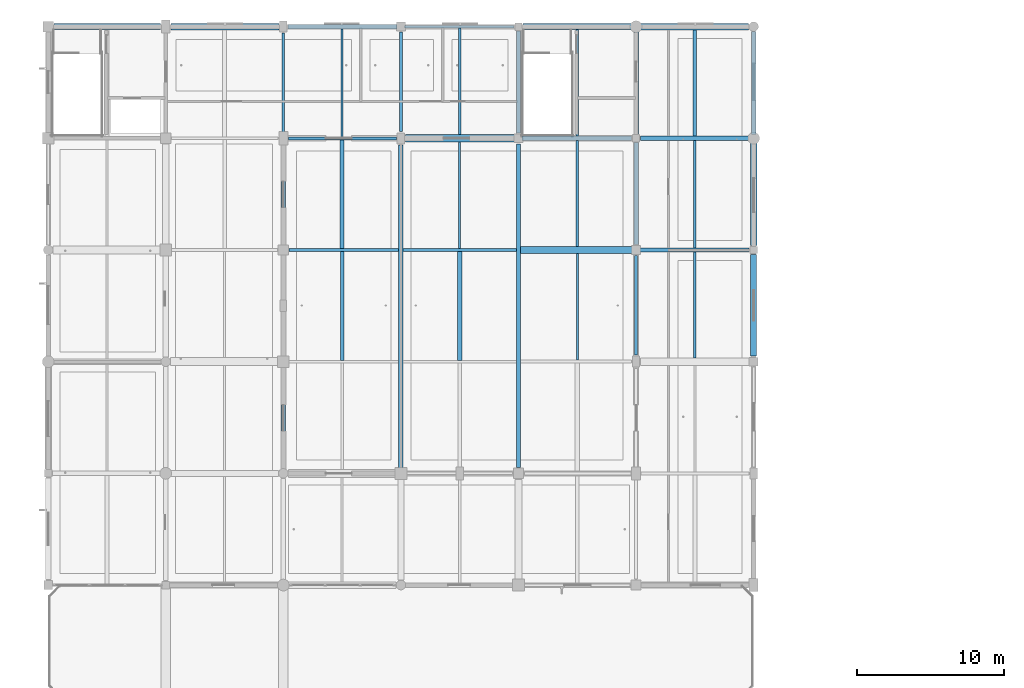
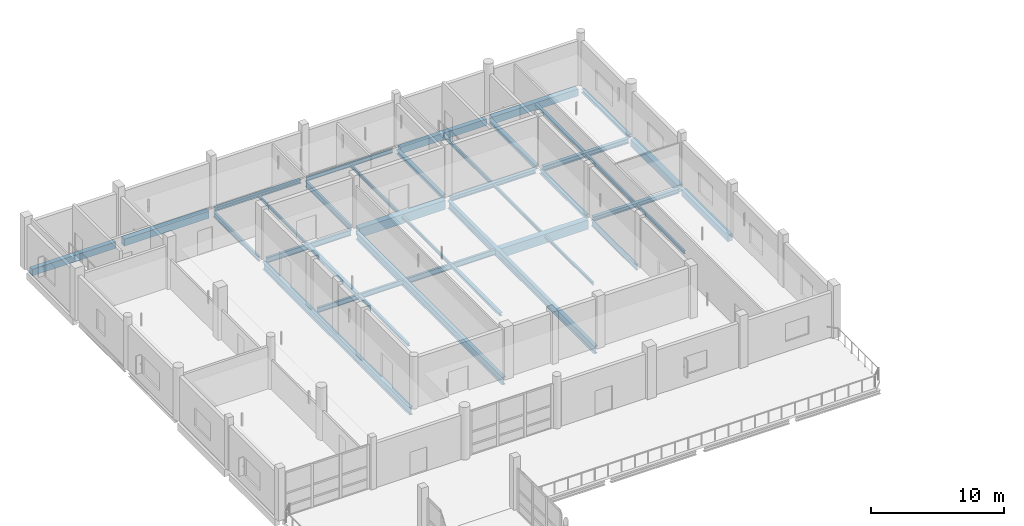
# One storey, part 42 of 141: 38 beams.
"""IFC4 building model written with IfcOpenShell, lengths in metres."""

from ifc_helpers import new_model, si_unit, direction, frame, origin, origin_2d, place, context, subcontext, project, spatial, rectangle, i_section, extrude, material, material_profile, profile_set, type_object, element, save


model = new_model("IFC4")

# Units and contexts
model_context = context("Model", 3, precision=1e-05, world=origin(), true_north=direction((0.0, 1.0)))
body_context = subcontext(model_context, "Body", "Model", "MODEL_VIEW")
ifc_project = project(units=[si_unit("LENGTHUNIT", "METRE"), si_unit("AREAUNIT", "SQUARE_METRE"), si_unit("VOLUMEUNIT", "CUBIC_METRE"), si_unit("PLANEANGLEUNIT", "RADIAN"), si_unit("MASSUNIT", "GRAM", prefix="KILO")], contexts=[model_context])

# Site, building, storey
site_placement = place(None, origin())
site = spatial("IfcSite", under=ifc_project, at=site_placement, CompositionType="ELEMENT")
building_placement = place(site_placement, origin())
building = spatial("IfcBuilding", under=site, at=building_placement, Name="Khelvaren Railside Concert Hall", CompositionType="ELEMENT")
storey_placement = place(building_placement, frame((0.0, 0.0, 10.199951171875)))
storey = spatial("IfcBuildingStorey", under=building, at=storey_placement, Name="L02", CompositionType="ELEMENT", Elevation=10.199951171875)

# Beams
ifc_material_1 = material(Name="Steel S355", Category="steel")
ifc_material_profile_1 = material_profile(ifc_material_1, i_section(OverallWidth=0.300048828125, OverallDepth=0.389892578125, WebThickness=0.010986328125, FlangeThickness=0.01904296875, FilletRadius=0.027099609375, at=origin_2d()), Name="HEA 400")
ifc_profile_set_1 = profile_set([ifc_material_profile_1], Name="Steel S355")
beam_type_1 = type_object("IfcBeamType", Name="BM23", PredefinedType="BEAM", material=ifc_profile_set_1)
for number, where, z_axis, x_axis, name in (
    (1, (40.25, 98.800048828125, -0.48486328125), (1.0, 0.0, 0.0), (0.0, 1.0, 0.0), "V4 L02 Beam X5.6"),
    (2, (32.25, 106.39990234375, -0.48486328125), (1.0, 0.0, 0.0), (0.0, 1.0, 0.0), "V4 L02 Beam X6.5"),
):
    element("IfcBeam", number, at=place(storey_placement, frame(where, z_axis=z_axis, x_axis=x_axis)), inside=storey, type_object=beam_type_1, Name=name, PredefinedType="BEAM", context=body_context, shape_type="SweptSolid", body=[
        extrude(i_section(OverallWidth=0.300048828125, OverallDepth=0.389892578125, WebThickness=0.010986328125, FlangeThickness=0.01904296875, FilletRadius=0.027099609375, at=origin_2d()), origin(), (0.0, 0.0, 1.0), 7.449951171875),
    ])
beam_1_placement = place(storey_placement, frame((40.0, 106.699951171875, -0.48486328125), z_axis=(0.0, 1.0, 0.0), x_axis=(-1.0, 0.0, 0.0)))
element("IfcBeam", 3, at=beam_1_placement, inside=storey, type_object=beam_type_1, Name="V4 L02 Beam Y6.6", PredefinedType="BEAM", context=body_context, shape_type="SweptSolid", body=[
    extrude(i_section(OverallWidth=0.300048828125, OverallDepth=0.389892578125, WebThickness=0.010986328125, FlangeThickness=0.01904296875, FilletRadius=0.027099609375, at=origin_2d()), origin(), (0.0, 0.0, 1.0), 7.050048828125),
])
ifc_material_profile_2 = material_profile(ifc_material_1, i_section(OverallWidth=0.199951171875, OverallDepth=0.5, WebThickness=0.01025390625, FlangeThickness=0.01611328125, FilletRadius=0.02099609375, at=origin_2d()), Name="IPE 500")
ifc_profile_set_2 = profile_set([ifc_material_profile_2], Name="Steel S355")
beam_type_2 = type_object("IfcBeamType", Name="BM62", PredefinedType="BEAM", material=ifc_profile_set_2)
beam_2_placement = place(storey_placement, frame((24.14990234375, 98.800048828125, -0.5400390625), z_axis=(1.0, 0.0, 0.0), x_axis=(0.0, 1.0, 0.0)))
element("IfcBeam", 4, at=beam_2_placement, inside=storey, type_object=beam_type_2, Name="V4 L02 Beam X5.4", PredefinedType="BEAM", context=body_context, shape_type="SweptSolid", body=[
    extrude(i_section(OverallWidth=0.199951171875, OverallDepth=0.5, WebThickness=0.01025390625, FlangeThickness=0.01611328125, FilletRadius=0.02099609375, at=origin_2d()), origin(), (0.0, 0.0, 1.0), 7.7001953125),
])
beam_3_placement = place(storey_placement, frame((16.35009765625, 106.39990234375, -0.5400390625), z_axis=(1.0, 0.0, 0.0), x_axis=(0.0, 1.0, 0.0)))
element("IfcBeam", 5, at=beam_3_placement, inside=storey, type_object=beam_type_2, Name="V4 L02 Beam X6.3", PredefinedType="BEAM", context=body_context, shape_type="SweptSolid", body=[
    extrude(i_section(OverallWidth=0.199951171875, OverallDepth=0.5, WebThickness=0.01025390625, FlangeThickness=0.01611328125, FilletRadius=0.02099609375, at=origin_2d()), origin(), (0.0, 0.0, 1.0), 7.349853515625),
])
beam_4_placement = place(storey_placement, frame((24.0, 106.85009765625, -0.5400390625), z_axis=(0.0, 1.0, 0.0), x_axis=(-1.0, 0.0, 0.0)))
element("IfcBeam", 6, at=beam_4_placement, inside=storey, type_object=beam_type_2, Name="V4 L02 Beam Y4.6", PredefinedType="BEAM", context=body_context, shape_type="SweptSolid", body=[
    extrude(i_section(OverallWidth=0.199951171875, OverallDepth=0.5, WebThickness=0.01025390625, FlangeThickness=0.01611328125, FilletRadius=0.02099609375, at=origin_2d()), origin(), (0.0, 0.0, 1.0), 6.77490234375),
])
beam_5_placement = place(storey_placement, frame((40.0, 91.64990234375, -0.5400390625), z_axis=(0.0, 1.0, 0.0), x_axis=(-1.0, 0.0, 0.0)))
element("IfcBeam", 7, at=beam_5_placement, inside=storey, type_object=beam_type_2, Name="V4 L02 Beam Y6.4", PredefinedType="BEAM", context=body_context, shape_type="SweptSolid", body=[
    extrude(i_section(OverallWidth=0.199951171875, OverallDepth=0.5, WebThickness=0.01025390625, FlangeThickness=0.01611328125, FilletRadius=0.02099609375, at=origin_2d()), origin(), (0.0, 0.0, 1.0), 6.775146484375),
])
ifc_material_profile_3 = material_profile(ifc_material_1, i_section(OverallWidth=0.300048828125, OverallDepth=0.35009765625, WebThickness=0.010009765625, FlangeThickness=0.017578125, FilletRadius=0.027099609375, at=origin_2d()), Name="HEA 360")
ifc_profile_set_3 = profile_set([ifc_material_profile_3], Name="Steel S355")
beam_type_3 = type_object("IfcBeamType", Name="BM73", PredefinedType="BEAM", material=ifc_profile_set_3)
for number, where, z_axis, x_axis, name in (
    (8, (32.0, 106.77490234375, -0.46484375), (0.0, 1.0, 0.0), (-1.0, 0.0, 0.0), "V4 L02 Beam Y5.6"),
    (9, (40.0, 99.175048828125, -0.46484375), (0.0, 1.0, 0.0), (-1.0, 0.0, 0.0), "V4 L02 Beam Y6.5"),
):
    element("IfcBeam", number, at=place(storey_placement, frame(where, z_axis=z_axis, x_axis=x_axis)), inside=storey, type_object=beam_type_3, Name=name, PredefinedType="BEAM", context=body_context, shape_type="SweptSolid", body=[
        extrude(i_section(OverallWidth=0.300048828125, OverallDepth=0.35009765625, WebThickness=0.010009765625, FlangeThickness=0.017578125, FilletRadius=0.027099609375, at=origin_2d()), origin(), (0.0, 0.0, 1.0), 6.925048828125),
    ])
ifc_material_profile_4 = material_profile(ifc_material_1, i_section(OverallWidth=0.300048828125, OverallDepth=0.43994140625, WebThickness=0.011474609375, FlangeThickness=0.02099609375, FilletRadius=0.027099609375, at=origin_2d()), Name="HEA 450")
ifc_profile_set_4 = profile_set([ifc_material_profile_4], Name="Steel S355")
beam_type_4 = type_object("IfcBeamType", Name="BM89", PredefinedType="BEAM", material=ifc_profile_set_4)
beam_6_placement = place(storey_placement, frame((40.300048828125, 106.39990234375, -0.510009765625), z_axis=(1.0, 0.0, 0.0), x_axis=(0.0, 1.0, 0.0)))
element("IfcBeam", 10, at=beam_6_placement, inside=storey, type_object=beam_type_4, Name="V4 L02 Beam X6.6", PredefinedType="BEAM", context=body_context, shape_type="SweptSolid", body=[
    extrude(i_section(OverallWidth=0.300048828125, OverallDepth=0.43994140625, WebThickness=0.011474609375, FlangeThickness=0.02099609375, FilletRadius=0.027099609375, at=origin_2d()), origin(), (0.0, 0.0, 1.0), 7.449951171875),
])
ifc_material_profile_5 = material_profile(ifc_material_1, i_section(OverallWidth=0.18994140625, OverallDepth=0.449951171875, WebThickness=0.009521484375, FlangeThickness=0.0146484375, FilletRadius=0.02099609375, at=origin_2d()), Name="IPE 450")
ifc_profile_set_5 = profile_set([ifc_material_profile_5], Name="Steel S355")
beam_type_5 = type_object("IfcBeamType", Name="BM95", PredefinedType="BEAM", material=ifc_profile_set_5)
beam_7_placement = place(storey_placement, frame((16.39990234375, 98.800048828125, -0.514892578125), z_axis=(1.0, 0.0, 0.0), x_axis=(0.0, 1.0, 0.0)))
element("IfcBeam", 11, at=beam_7_placement, inside=storey, type_object=beam_type_5, Name="V4 L02 Beam X5.3", PredefinedType="BEAM", context=body_context, shape_type="SweptSolid", body=[
    extrude(i_section(OverallWidth=0.18994140625, OverallDepth=0.449951171875, WebThickness=0.009521484375, FlangeThickness=0.0146484375, FilletRadius=0.02099609375, at=origin_2d()), origin(), (0.0, 0.0, 1.0), 7.4501953125),
])
beam_8_placement = place(storey_placement, frame((16.0, 106.75, -0.514892578125), z_axis=(0.0, 1.0, 0.0), x_axis=(-1.0, 0.0, 0.0)))
element("IfcBeam", 12, at=beam_8_placement, inside=storey, type_object=beam_type_5, Name="V4 L02 Beam Y3.6", PredefinedType="BEAM", context=body_context, shape_type="SweptSolid", body=[
    extrude(i_section(OverallWidth=0.18994140625, OverallDepth=0.449951171875, WebThickness=0.009521484375, FlangeThickness=0.0146484375, FilletRadius=0.02099609375, at=origin_2d()), origin(), (0.0, 0.0, 1.0), 6.800048828125),
])
ifc_material_profile_6 = material_profile(ifc_material_1, i_section(OverallWidth=0.300048828125, OverallDepth=0.699951171875, WebThickness=0.01708984375, FlangeThickness=0.031982421875, FilletRadius=0.027099609375, at=origin_2d()), Name="HEB 700")
ifc_profile_set_6 = profile_set([ifc_material_profile_6], Name="Steel S355")
beam_type_6 = type_object("IfcBeamType", Name="GR85", PredefinedType="T_BEAM", material=ifc_profile_set_6)
beam_9_placement = place(storey_placement, frame((16.0, 84.0, -0.639892578125), z_axis=(0.0, 1.0, 0.0), x_axis=(-1.0, 0.0, 0.0)))
element("IfcBeam", 13, at=beam_9_placement, inside=storey, type_object=beam_type_6, Name="V4 Chamber Hall Clear-Span Girder X=16", PredefinedType="T_BEAM", context=body_context, shape_type="SweptSolid", body=[
    extrude(i_section(OverallWidth=0.300048828125, OverallDepth=0.699951171875, WebThickness=0.01708984375, FlangeThickness=0.031982421875, FilletRadius=0.027099609375, at=origin_2d()), origin(), (0.0, 0.0, 1.0), 22.050048828125),
])
for number, where, z_axis, x_axis, name in (
    (14, (24.0, 83.925048828125, -0.639892578125), (0.0, 1.0, 0.0), (-1.0, 0.0, 0.0), "V4 Chamber Hall Clear-Span Girder X=24"),
    (15, (32.0, 84.0, -0.639892578125), (0.0, 1.0, 0.0), (-1.0, 0.0, 0.0), "V4 Chamber Hall Clear-Span Girder X=32"),
):
    element("IfcBeam", number, at=place(storey_placement, frame(where, z_axis=z_axis, x_axis=x_axis)), inside=storey, type_object=beam_type_6, Name=name, PredefinedType="T_BEAM", context=body_context, shape_type="SweptSolid", body=[
        extrude(i_section(OverallWidth=0.300048828125, OverallDepth=0.699951171875, WebThickness=0.01708984375, FlangeThickness=0.031982421875, FilletRadius=0.027099609375, at=origin_2d()), origin(), (0.0, 0.0, 1.0), 22.02490234375),
    ])
ifc_material_2 = material(Name="Concrete C40/50", Category="concrete")
ifc_material_profile_7 = material_profile(ifc_material_2, rectangle(XDim=0.5, YDim=0.85009765625, at=origin_2d()), Name="RCB 500x850")
ifc_profile_set_7 = profile_set([ifc_material_profile_7], Name="Concrete C40/50")
beam_type_7 = type_object("IfcBeamType", Name="GR96", PredefinedType="T_BEAM", material=ifc_profile_set_7)
beam_10_placement = place(storey_placement, frame((32.14990234375, 98.800048828125, -0.71484375), z_axis=(1.0, 0.0, 0.0), x_axis=(0.0, 1.0, 0.0)))
element("IfcBeam", 16, at=beam_10_placement, inside=storey, type_object=beam_type_7, Name="V4 L02 T_Beam X5.5", PredefinedType="T_BEAM", context=body_context, shape_type="SweptSolid", body=[
    extrude(rectangle(XDim=0.5, YDim=0.85009765625, at=origin_2d()), origin(), (0.0, 0.0, 1.0), 7.60009765625),
])
beam_11_placement = place(storey_placement, frame((24.300048828125, 106.39990234375, -0.71484375), z_axis=(1.0, 0.0, 0.0), x_axis=(0.0, 1.0, 0.0)))
element("IfcBeam", 17, at=beam_11_placement, inside=storey, type_object=beam_type_7, Name="V4 L02 T_Beam X6.4", PredefinedType="T_BEAM", context=body_context, shape_type="SweptSolid", body=[
    extrude(rectangle(XDim=0.5, YDim=0.85009765625, at=origin_2d()), origin(), (0.0, 0.0, 1.0), 7.449951171875),
])
ifc_material_profile_8 = material_profile(ifc_material_1, i_section(OverallWidth=0.14990234375, OverallDepth=0.300048828125, WebThickness=0.007080078125, FlangeThickness=0.0107421875, FilletRadius=0.014892578125, at=origin_2d()), Name="IPE 300")
ifc_profile_set_8 = profile_set([ifc_material_profile_8], Name="Steel S355")
beam_type_8 = type_object("IfcBeamType", Name="JS26", PredefinedType="JOIST", material=ifc_profile_set_8)
beam_12_placement = place(storey_placement, frame((28.0, 106.64990234375, -0.43994140625), z_axis=(0.0, 1.0, 0.0), x_axis=(-1.0, 0.0, 0.0)))
element("IfcBeam", 18, at=beam_12_placement, inside=storey, type_object=beam_type_8, Name="V4 L02 Secondary Joist 4.6", PredefinedType="JOIST", context=body_context, shape_type="SweptSolid", body=[
    extrude(i_section(OverallWidth=0.14990234375, OverallDepth=0.300048828125, WebThickness=0.007080078125, FlangeThickness=0.0107421875, FilletRadius=0.014892578125, at=origin_2d()), origin(), (0.0, 0.0, 1.0), 7.26513671875),
])
for number, where, z_axis, x_axis, name in (
    (19, (36.0, 99.050048828125, -0.43994140625), (0.0, 1.0, 0.0), (-1.0, 0.0, 0.0), "V4 L02 Secondary Joist 5.5"),
    (20, (44.0, 91.449951171875, -0.43994140625), (0.0, 1.0, 0.0), (-1.0, 0.0, 0.0), "V4 L02 Secondary Joist 6.4"),
):
    element("IfcBeam", number, at=place(storey_placement, frame(where, z_axis=z_axis, x_axis=x_axis)), inside=storey, type_object=beam_type_8, Name=name, PredefinedType="JOIST", context=body_context, shape_type="SweptSolid", body=[
        extrude(i_section(OverallWidth=0.14990234375, OverallDepth=0.300048828125, WebThickness=0.007080078125, FlangeThickness=0.0107421875, FilletRadius=0.014892578125, at=origin_2d()), origin(), (0.0, 0.0, 1.0), 7.199951171875),
    ])
ifc_material_profile_9 = material_profile(ifc_material_1, i_section(OverallWidth=0.280029296875, OverallDepth=0.27001953125, WebThickness=0.008056640625, FlangeThickness=0.012939453125, FilletRadius=0.02392578125, at=origin_2d()), Name="HEA 280")
ifc_profile_set_9 = profile_set([ifc_material_profile_9], Name="Steel S355")
beam_type_9 = type_object("IfcBeamType", Name="JS46", PredefinedType="JOIST", material=ifc_profile_set_9)
for number, where, z_axis, x_axis, name in (
    (21, (20.0, 98.89501953125, -0.425048828125), (0.0, 1.0, 0.0), (-1.0, 0.0, 0.0), "V4 L02 Secondary Joist 3.5"),
    (22, (28.0, 91.294921875, -0.425048828125), (0.0, 1.0, 0.0), (-1.0, 0.0, 0.0), "V4 L02 Secondary Joist 4.4"),
):
    element("IfcBeam", number, at=place(storey_placement, frame(where, z_axis=z_axis, x_axis=x_axis)), inside=storey, type_object=beam_type_9, Name=name, PredefinedType="JOIST", context=body_context, shape_type="SweptSolid", body=[
        extrude(i_section(OverallWidth=0.280029296875, OverallDepth=0.27001953125, WebThickness=0.008056640625, FlangeThickness=0.012939453125, FilletRadius=0.02392578125, at=origin_2d()), origin(), (0.0, 0.0, 1.0), 7.405029296875),
    ])
ifc_material_profile_10 = material_profile(ifc_material_1, i_section(OverallWidth=0.159912109375, OverallDepth=0.330078125, WebThickness=0.007568359375, FlangeThickness=0.011474609375, FilletRadius=0.01806640625, at=origin_2d()), Name="IPE 330")
ifc_profile_set_10 = profile_set([ifc_material_profile_10], Name="Steel S355")
beam_type_10 = type_object("IfcBeamType", Name="JS65", PredefinedType="JOIST", material=ifc_profile_set_10)
beam_13_placement = place(storey_placement, frame((36.0, 106.550048828125, -0.454833984375), z_axis=(0.0, 1.0, 0.0), x_axis=(-1.0, 0.0, 0.0)))
element("IfcBeam", 23, at=beam_13_placement, inside=storey, type_object=beam_type_10, Name="V4 L02 Secondary Joist 5.6", PredefinedType="JOIST", context=body_context, shape_type="SweptSolid", body=[
    extrude(i_section(OverallWidth=0.159912109375, OverallDepth=0.330078125, WebThickness=0.007568359375, FlangeThickness=0.011474609375, FilletRadius=0.01806640625, at=origin_2d()), origin(), (0.0, 0.0, 1.0), 7.25),
])
beam_14_placement = place(storey_placement, frame((44.0, 98.949951171875, -0.454833984375), z_axis=(0.0, 1.0, 0.0), x_axis=(-1.0, 0.0, 0.0)))
element("IfcBeam", 24, at=beam_14_placement, inside=storey, type_object=beam_type_10, Name="V4 L02 Secondary Joist 6.5", PredefinedType="JOIST", context=body_context, shape_type="SweptSolid", body=[
    extrude(i_section(OverallWidth=0.159912109375, OverallDepth=0.330078125, WebThickness=0.007568359375, FlangeThickness=0.011474609375, FilletRadius=0.01806640625, at=origin_2d()), origin(), (0.0, 0.0, 1.0), 7.300048828125),
])
ifc_material_profile_11 = material_profile(ifc_material_1, i_section(OverallWidth=0.239990234375, OverallDepth=0.22998046875, WebThickness=0.007568359375, FlangeThickness=0.011962890625, FilletRadius=0.02099609375, at=origin_2d()), Name="HEA 240")
ifc_profile_set_11 = profile_set([ifc_material_profile_11], Name="Steel S355")
beam_type_11 = type_object("IfcBeamType", Name="JS76", PredefinedType="JOIST", material=ifc_profile_set_11)
beam_15_placement = place(storey_placement, frame((20.0, 91.2900390625, -0.405029296875), z_axis=(0.0, 1.0, 0.0), x_axis=(-1.0, 0.0, 0.0)))
element("IfcBeam", 25, at=beam_15_placement, inside=storey, type_object=beam_type_11, Name="V4 L02 Secondary Joist 3.4", PredefinedType="JOIST", context=body_context, shape_type="SweptSolid", body=[
    extrude(i_section(OverallWidth=0.239990234375, OverallDepth=0.22998046875, WebThickness=0.007568359375, FlangeThickness=0.011962890625, FilletRadius=0.02099609375, at=origin_2d()), origin(), (0.0, 0.0, 1.0), 7.4150390625),
])
beam_16_placement = place(storey_placement, frame((44.0, 106.550048828125, -0.405029296875), z_axis=(0.0, 1.0, 0.0), x_axis=(-1.0, 0.0, 0.0)))
element("IfcBeam", 26, at=beam_16_placement, inside=storey, type_object=beam_type_11, Name="V4 L02 Secondary Joist 6.6", PredefinedType="JOIST", context=body_context, shape_type="SweptSolid", body=[
    extrude(i_section(OverallWidth=0.239990234375, OverallDepth=0.22998046875, WebThickness=0.007568359375, FlangeThickness=0.011962890625, FilletRadius=0.02099609375, at=origin_2d()), origin(), (0.0, 0.0, 1.0), 7.224853515625),
])
ifc_material_profile_12 = material_profile(ifc_material_1, i_section(OverallWidth=0.135009765625, OverallDepth=0.27001953125, WebThickness=0.006591796875, FlangeThickness=0.01025390625, FilletRadius=0.014892578125, at=origin_2d()), Name="IPE 270")
ifc_profile_set_12 = profile_set([ifc_material_profile_12], Name="Steel S355")
beam_type_12 = type_object("IfcBeamType", Name="JS78", PredefinedType="JOIST", material=ifc_profile_set_12)
beam_17_placement = place(storey_placement, frame((20.0, 106.5, -0.425048828125), z_axis=(0.0, 1.0, 0.0), x_axis=(-1.0, 0.0, 0.0)))
element("IfcBeam", 27, at=beam_17_placement, inside=storey, type_object=beam_type_12, Name="V4 L02 Secondary Joist 3.6", PredefinedType="JOIST", context=body_context, shape_type="SweptSolid", body=[
    extrude(i_section(OverallWidth=0.135009765625, OverallDepth=0.27001953125, WebThickness=0.006591796875, FlangeThickness=0.01025390625, FilletRadius=0.014892578125, at=origin_2d()), origin(), (0.0, 0.0, 1.0), 7.35009765625),
])
for number, where, z_axis, x_axis, name in (
    (28, (28.0, 98.89990234375, -0.425048828125), (0.0, 1.0, 0.0), (-1.0, 0.0, 0.0), "V4 L02 Secondary Joist 4.5"),
    (29, (36.0, 91.300048828125, -0.425048828125), (0.0, 1.0, 0.0), (-1.0, 0.0, 0.0), "V4 L02 Secondary Joist 5.4"),
):
    element("IfcBeam", number, at=place(storey_placement, frame(where, z_axis=z_axis, x_axis=x_axis)), inside=storey, type_object=beam_type_12, Name=name, PredefinedType="JOIST", context=body_context, shape_type="SweptSolid", body=[
        extrude(i_section(OverallWidth=0.135009765625, OverallDepth=0.27001953125, WebThickness=0.006591796875, FlangeThickness=0.01025390625, FilletRadius=0.014892578125, at=origin_2d()), origin(), (0.0, 0.0, 1.0), 7.25),
    ])
ifc_material_profile_13 = material_profile(ifc_material_2, rectangle(XDim=0.449951171875, YDim=0.64990234375, at=origin_2d()), Name="RCB 450x650")
ifc_profile_set_13 = profile_set([ifc_material_profile_13], Name="Concrete C40/50")
beam_type_13 = type_object("IfcBeamType", Name="SP34", PredefinedType="SPANDREL", material=ifc_profile_set_13)
beam_18_placement = place(storey_placement, frame((8.35009765625, 114.0, -0.614990234375), z_axis=(1.0, 0.0, 0.0), x_axis=(0.0, 1.0, 0.0)))
element("IfcBeam", 30, at=beam_18_placement, inside=storey, type_object=beam_type_13, Name="V4 L02 Spandrel X7.2", PredefinedType="SPANDREL", context=body_context, shape_type="SweptSolid", body=[
    extrude(rectangle(XDim=0.449951171875, YDim=0.64990234375, at=origin_2d()), origin(), (0.0, 0.0, 1.0), 7.349853515625),
])
beam_19_placement = place(storey_placement, frame((40.25, 114.0, -0.614990234375), z_axis=(1.0, 0.0, 0.0), x_axis=(0.0, 1.0, 0.0)))
element("IfcBeam", 31, at=beam_19_placement, inside=storey, type_object=beam_type_13, Name="V4 L02 Spandrel X7.6", PredefinedType="SPANDREL", context=body_context, shape_type="SweptSolid", body=[
    extrude(rectangle(XDim=0.449951171875, YDim=0.64990234375, at=origin_2d()), origin(), (0.0, 0.0, 1.0), 7.4140625),
])
beam_20_placement = place(storey_placement, frame((48.0, 99.10009765625, -0.614990234375), z_axis=(0.0, 1.0, 0.0), x_axis=(-1.0, 0.0, 0.0)))
element("IfcBeam", 32, at=beam_20_placement, inside=storey, type_object=beam_type_13, Name="V4 L02 Spandrel Y7.5", PredefinedType="SPANDREL", context=body_context, shape_type="SweptSolid", body=[
    extrude(rectangle(XDim=0.449951171875, YDim=0.64990234375, at=origin_2d()), origin(), (0.0, 0.0, 1.0), 7.0498046875),
])
ifc_material_profile_14 = material_profile(ifc_material_1, i_section(OverallWidth=0.300048828125, OverallDepth=0.31005859375, WebThickness=0.009033203125, FlangeThickness=0.015380859375, FilletRadius=0.027099609375, at=origin_2d()), Name="HEA 320")
ifc_profile_set_14 = profile_set([ifc_material_profile_14], Name="Steel S355")
beam_type_14 = type_object("IfcBeamType", Name="SP66", PredefinedType="SPANDREL", material=ifc_profile_set_14)
beam_21_placement = place(storey_placement, frame((16.300048828125, 114.0, -0.445068359375), z_axis=(1.0, 0.0, 0.0), x_axis=(0.0, 1.0, 0.0)))
element("IfcBeam", 33, at=beam_21_placement, inside=storey, type_object=beam_type_14, Name="V4 L02 Spandrel X7.3", PredefinedType="SPANDREL", context=body_context, shape_type="SweptSolid", body=[
    extrude(i_section(OverallWidth=0.300048828125, OverallDepth=0.31005859375, WebThickness=0.009033203125, FlangeThickness=0.015380859375, FilletRadius=0.027099609375, at=origin_2d()), origin(), (0.0, 0.0, 1.0), 7.449951171875),
])
beam_22_placement = place(storey_placement, frame((48.0, 106.64990234375, -0.445068359375), z_axis=(0.0, 1.0, 0.0), x_axis=(-1.0, 0.0, 0.0)))
element("IfcBeam", 34, at=beam_22_placement, inside=storey, type_object=beam_type_14, Name="V4 L02 Spandrel Y7.6", PredefinedType="SPANDREL", context=body_context, shape_type="SweptSolid", body=[
    extrude(i_section(OverallWidth=0.300048828125, OverallDepth=0.31005859375, WebThickness=0.009033203125, FlangeThickness=0.015380859375, FilletRadius=0.027099609375, at=origin_2d()), origin(), (0.0, 0.0, 1.0), 7.01416015625),
])
ifc_material_profile_15 = material_profile(ifc_material_1, i_section(OverallWidth=0.169921875, OverallDepth=0.360107421875, WebThickness=0.008056640625, FlangeThickness=0.0126953125, FilletRadius=0.01806640625, at=origin_2d()), Name="IPE 360")
ifc_profile_set_15 = profile_set([ifc_material_profile_15], Name="Steel S355")
beam_type_15 = type_object("IfcBeamType", Name="SP74", PredefinedType="SPANDREL", material=ifc_profile_set_15)
beam_23_placement = place(storey_placement, frame((24.25, 114.0, -0.469970703125), z_axis=(1.0, 0.0, 0.0), x_axis=(0.0, 1.0, 0.0)))
element("IfcBeam", 35, at=beam_23_placement, inside=storey, type_object=beam_type_15, Name="V4 L02 Spandrel X7.4", PredefinedType="SPANDREL", context=body_context, shape_type="SweptSolid", body=[
    extrude(i_section(OverallWidth=0.169921875, OverallDepth=0.360107421875, WebThickness=0.008056640625, FlangeThickness=0.0126953125, FilletRadius=0.01806640625, at=origin_2d()), origin(), (0.0, 0.0, 1.0), 7.449951171875),
])
ifc_material_profile_16 = material_profile(ifc_material_2, rectangle(XDim=0.39990234375, YDim=0.60009765625, at=origin_2d()), Name="RCB 400x600")
ifc_profile_set_16 = profile_set([ifc_material_profile_16], Name="Concrete C40/50")
beam_type_16 = type_object("IfcBeamType", Name="SP75", PredefinedType="SPANDREL", material=ifc_profile_set_16)
beam_24_placement = place(storey_placement, frame((0.39990234375, 114.0, -0.58984375), z_axis=(1.0, 0.0, 0.0), x_axis=(0.0, 1.0, 0.0)))
element("IfcBeam", 36, at=beam_24_placement, inside=storey, type_object=beam_type_16, Name="V4 L02 Spandrel X7.1", PredefinedType="SPANDREL", context=body_context, shape_type="SweptSolid", body=[
    extrude(rectangle(XDim=0.39990234375, YDim=0.60009765625, at=origin_2d()), origin(), (0.0, 0.0, 1.0), 7.25),
])
beam_25_placement = place(storey_placement, frame((32.300048828125, 114.0, -0.58984375), z_axis=(1.0, 0.0, 0.0), x_axis=(0.0, 1.0, 0.0)))
element("IfcBeam", 37, at=beam_25_placement, inside=storey, type_object=beam_type_16, Name="V4 L02 Spandrel X7.5", PredefinedType="SPANDREL", context=body_context, shape_type="SweptSolid", body=[
    extrude(rectangle(XDim=0.39990234375, YDim=0.60009765625, at=origin_2d()), origin(), (0.0, 0.0, 1.0), 7.449951171875),
])
beam_26_placement = place(storey_placement, frame((48.0, 91.574951171875, -0.58984375), z_axis=(0.0, 1.0, 0.0), x_axis=(-1.0, 0.0, 0.0)))
element("IfcBeam", 38, at=beam_26_placement, inside=storey, type_object=beam_type_16, Name="V4 L02 Spandrel Y7.4", PredefinedType="SPANDREL", context=body_context, shape_type="SweptSolid", body=[
    extrude(rectangle(XDim=0.39990234375, YDim=0.60009765625, at=origin_2d()), origin(), (0.0, 0.0, 1.0), 6.925048828125),
])

save(model, "model.ifc")
